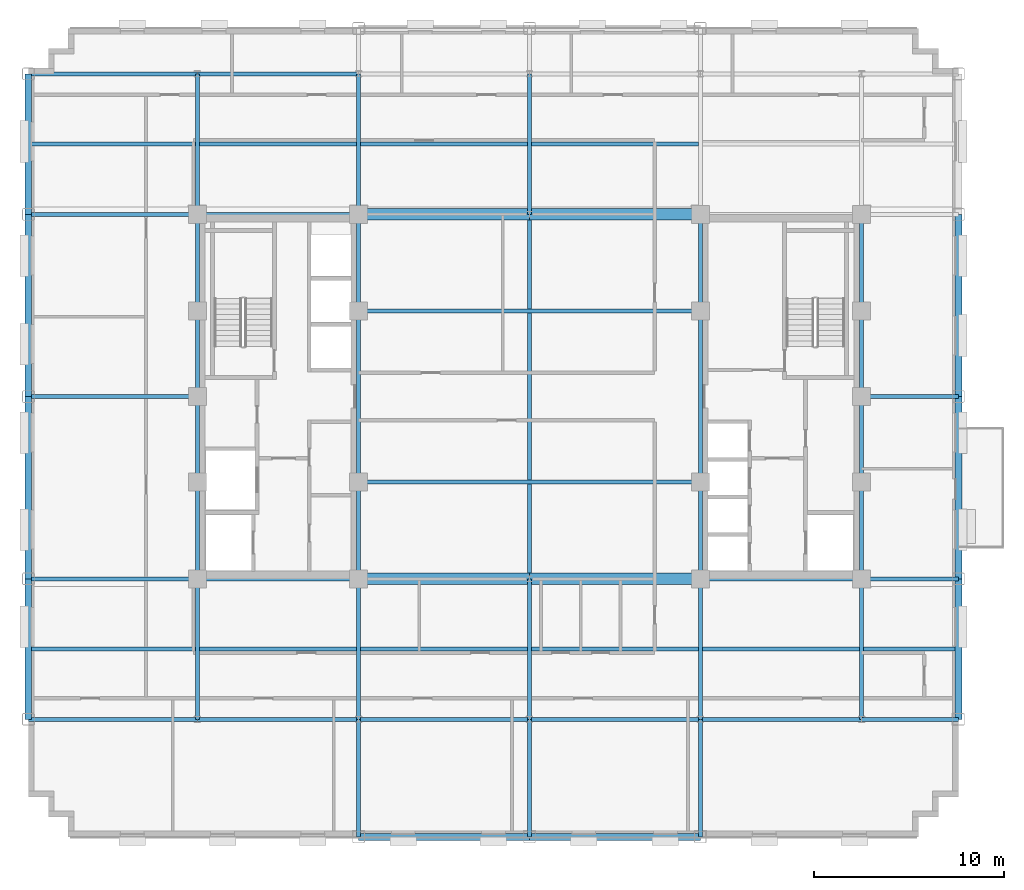
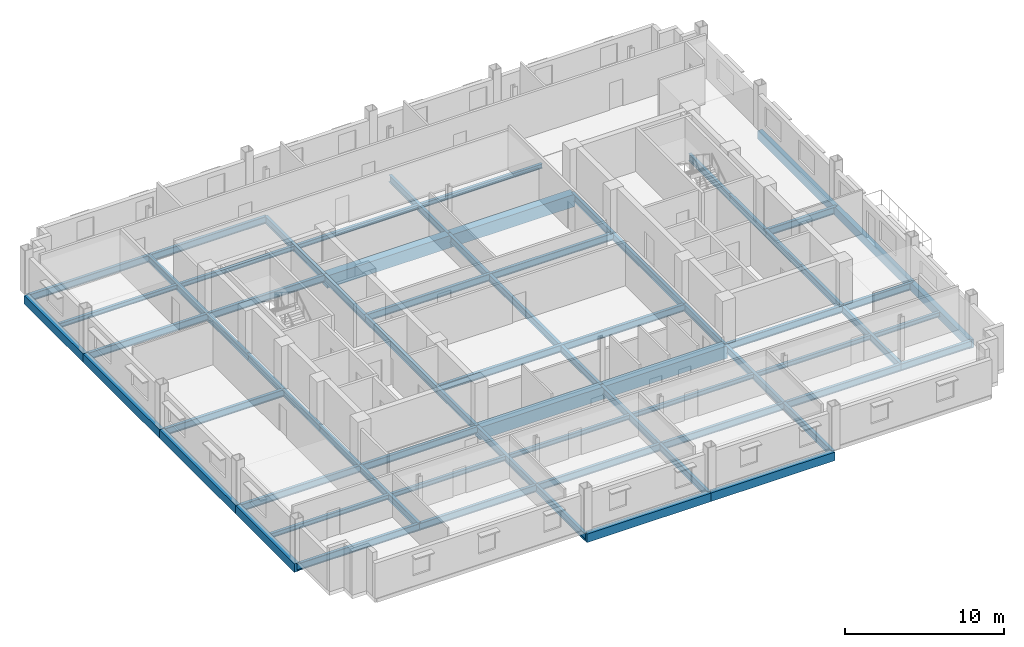
# One storey, part 5 of 14: 67 beams.
"""IFC4 building model written with IfcOpenShell, lengths in metres."""

from ifc_helpers import new_model, si_unit, direction, frame, origin, origin_2d, place, context, subcontext, project, spatial, rectangle, i_section, extrude, material, material_profile, profile_set, type_object, element, save


model = new_model("IFC4")

# Units and contexts
model_context = context("Model", 3, precision=1e-05, world=origin(), true_north=direction((0.0, 1.0)))
body_context = subcontext(model_context, "Body", "Model", "MODEL_VIEW")
ifc_project = project(units=[si_unit("LENGTHUNIT", "METRE"), si_unit("AREAUNIT", "SQUARE_METRE"), si_unit("VOLUMEUNIT", "CUBIC_METRE"), si_unit("PLANEANGLEUNIT", "RADIAN"), si_unit("MASSUNIT", "GRAM", prefix="KILO")], contexts=[model_context])

# Site, building, storey
site_placement = place(None, origin())
site = spatial("IfcSite", under=ifc_project, at=site_placement, CompositionType="ELEMENT")
building_placement = place(site_placement, origin())
building = spatial("IfcBuilding", under=site, at=building_placement, Name="Nuvemarco Arch Tower", CompositionType="ELEMENT")
storey_placement = place(building_placement, frame((0.0, 0.0, 178.60009765625)))
storey = spatial("IfcBuildingStorey", under=building, at=storey_placement, Name="L47", CompositionType="ELEMENT", Elevation=178.60009765625)

# Beams
ifc_material_1 = material(Name="Concrete C60/75", Category="concrete")
ifc_material_profile_1 = material_profile(ifc_material_1, rectangle(XDim=0.60009765625, YDim=0.949951171875, at=origin_2d()), Name="RC-BM-600x950")
ifc_profile_set_1 = profile_set([ifc_material_profile_1], Name="Concrete C60/75")
beam_type_1 = type_object("IfcBeamType", Name="BM-COUP-RC", PredefinedType="LINTEL", material=ifc_profile_set_1)
for number, where, z_axis, x_axis, name in (
    (1, (-9.0, -9.60009765625, -0.755126953125), (1.0, 0.0, 0.0), (0.0, 1.0, 0.0), "L47 structural beam BGEW_L47_0_-9.6_-9.0"),
    (2, (0.0, -9.60009765625, -0.755126953125), (1.0, 0.0, 0.0), (0.0, 1.0, 0.0), "L47 structural beam BGEW_L47_0_-9.6_+0.0"),
    (3, (-9.0, 9.60009765625, -0.755126953125), (1.0, 0.0, 0.0), (0.0, 1.0, 0.0), "L47 structural beam BGEW_L47_0_+9.6_-9.0"),
    (4, (0.0, 9.60009765625, -0.755126953125), (1.0, 0.0, 0.0), (0.0, 1.0, 0.0), "L47 structural beam BGEW_L47_0_+9.6_+0.0"),
):
    element("IfcBeam", number, at=place(storey_placement, frame(where, z_axis=z_axis, x_axis=x_axis)), inside=storey, type_object=beam_type_1, Name=name, PredefinedType="LINTEL", context=body_context, shape_type="SweptSolid", body=[
        extrude(rectangle(XDim=0.60009765625, YDim=0.949951171875, at=origin_2d()), origin(), (0.0, 0.0, 1.0), 9.0),
    ])
ifc_material_2 = material(Name="Steel S355", Category="steel")
ifc_material_profile_2 = material_profile(ifc_material_2, i_section(OverallWidth=0.2109375, OverallDepth=0.5390625, WebThickness=0.01171875, FlangeThickness=0.018798828125, FilletRadius=0.01611328125, at=origin_2d()), Name="W530x109")
ifc_profile_set_2 = profile_set([ifc_material_profile_2], Name="Steel S355")
beam_type_2 = type_object("IfcBeamType", Name="BM-GIRD-530", PredefinedType="BEAM", material=ifc_profile_set_2)
beam_1_placement = place(storey_placement, frame((-17.5, -17.0, -0.549560546875), z_axis=(0.0, 1.0, 0.0), x_axis=(-1.0, 0.0, 0.0)))
element("IfcBeam", 5, at=beam_1_placement, inside=storey, type_object=beam_type_2, Name="L47 structural beam BGNS_L47_0_-17.5_-17.0", PredefinedType="BEAM", context=body_context, shape_type="SweptSolid", body=[
    extrude(i_section(OverallWidth=0.2109375, OverallDepth=0.5390625, WebThickness=0.01171875, FlangeThickness=0.018798828125, FilletRadius=0.01611328125, at=origin_2d()), origin(), (0.0, 0.0, 1.0), 7.39990234375),
])
beam_2_placement = place(storey_placement, frame((-17.5, -9.60009765625, -0.549560546875), z_axis=(0.0, 1.0, 0.0), x_axis=(-1.0, 0.0, 0.0)))
element("IfcBeam", 6, at=beam_2_placement, inside=storey, type_object=beam_type_2, Name="L47 structural beam BGNS_L47_0_-17.5_-9.6", PredefinedType="BEAM", context=body_context, shape_type="SweptSolid", body=[
    extrude(i_section(OverallWidth=0.2109375, OverallDepth=0.5390625, WebThickness=0.01171875, FlangeThickness=0.018798828125, FilletRadius=0.01611328125, at=origin_2d()), origin(), (0.0, 0.0, 1.0), 5.10009765625),
])
for number, where, z_axis, x_axis, name in (
    (7, (-17.5, -4.5, -0.549560546875), (0.0, 1.0, 0.0), (-1.0, 0.0, 0.0), "L47 structural beam BGNS_L47_0_-17.5_-4.5"),
    (8, (-17.5, 0.0, -0.549560546875), (0.0, 1.0, 0.0), (-1.0, 0.0, 0.0), "L47 structural beam BGNS_L47_0_-17.5_+0.0"),
):
    element("IfcBeam", number, at=place(storey_placement, frame(where, z_axis=z_axis, x_axis=x_axis)), inside=storey, type_object=beam_type_2, Name=name, PredefinedType="BEAM", context=body_context, shape_type="SweptSolid", body=[
        extrude(i_section(OverallWidth=0.2109375, OverallDepth=0.5390625, WebThickness=0.01171875, FlangeThickness=0.018798828125, FilletRadius=0.01611328125, at=origin_2d()), origin(), (0.0, 0.0, 1.0), 4.5),
    ])
beam_3_placement = place(storey_placement, frame((-17.5, 4.5, -0.549560546875), z_axis=(0.0, 1.0, 0.0), x_axis=(-1.0, 0.0, 0.0)))
element("IfcBeam", 9, at=beam_3_placement, inside=storey, type_object=beam_type_2, Name="L47 structural beam BGNS_L47_0_-17.5_+4.5", PredefinedType="BEAM", context=body_context, shape_type="SweptSolid", body=[
    extrude(i_section(OverallWidth=0.2109375, OverallDepth=0.5390625, WebThickness=0.01171875, FlangeThickness=0.018798828125, FilletRadius=0.01611328125, at=origin_2d()), origin(), (0.0, 0.0, 1.0), 5.10009765625),
])
beam_4_placement = place(storey_placement, frame((-17.5, 9.60009765625, -0.549560546875), z_axis=(0.0, 1.0, 0.0), x_axis=(-1.0, 0.0, 0.0)))
element("IfcBeam", 10, at=beam_4_placement, inside=storey, type_object=beam_type_2, Name="L47 structural beam BGNS_L47_0_-17.5_+9.6", PredefinedType="BEAM", context=body_context, shape_type="SweptSolid", body=[
    extrude(i_section(OverallWidth=0.2109375, OverallDepth=0.5390625, WebThickness=0.01171875, FlangeThickness=0.018798828125, FilletRadius=0.01611328125, at=origin_2d()), origin(), (0.0, 0.0, 1.0), 7.39990234375),
])
beam_5_placement = place(storey_placement, frame((-9.0, -23.199951171875, -0.549560546875), z_axis=(0.0, 1.0, 0.0), x_axis=(-1.0, 0.0, 0.0)))
element("IfcBeam", 11, at=beam_5_placement, inside=storey, type_object=beam_type_2, Name="L47 structural beam BGNS_L47_0_-9.0_-23.2", PredefinedType="BEAM", context=body_context, shape_type="SweptSolid", body=[
    extrude(i_section(OverallWidth=0.2109375, OverallDepth=0.5390625, WebThickness=0.01171875, FlangeThickness=0.018798828125, FilletRadius=0.01611328125, at=origin_2d()), origin(), (0.0, 0.0, 1.0), 6.199951171875),
])
beam_6_placement = place(storey_placement, frame((-9.0, -17.0, -0.549560546875), z_axis=(0.0, 1.0, 0.0), x_axis=(-1.0, 0.0, 0.0)))
element("IfcBeam", 12, at=beam_6_placement, inside=storey, type_object=beam_type_2, Name="L47 structural beam BGNS_L47_0_-9.0_-17.0", PredefinedType="BEAM", context=body_context, shape_type="SweptSolid", body=[
    extrude(i_section(OverallWidth=0.2109375, OverallDepth=0.5390625, WebThickness=0.01171875, FlangeThickness=0.018798828125, FilletRadius=0.01611328125, at=origin_2d()), origin(), (0.0, 0.0, 1.0), 7.39990234375),
])
beam_7_placement = place(storey_placement, frame((-9.0, -9.60009765625, -0.549560546875), z_axis=(0.0, 1.0, 0.0), x_axis=(-1.0, 0.0, 0.0)))
element("IfcBeam", 13, at=beam_7_placement, inside=storey, type_object=beam_type_2, Name="L47 structural beam BGNS_L47_0_-9.0_-9.6", PredefinedType="BEAM", context=body_context, shape_type="SweptSolid", body=[
    extrude(i_section(OverallWidth=0.2109375, OverallDepth=0.5390625, WebThickness=0.01171875, FlangeThickness=0.018798828125, FilletRadius=0.01611328125, at=origin_2d()), origin(), (0.0, 0.0, 1.0), 5.10009765625),
])
beam_8_placement = place(storey_placement, frame((-9.0, -4.5, -0.549560546875), z_axis=(0.0, 1.0, 0.0), x_axis=(-1.0, 0.0, 0.0)))
element("IfcBeam", 14, at=beam_8_placement, inside=storey, type_object=beam_type_2, Name="L47 structural beam BGNS_L47_0_-9.0_-4.5", PredefinedType="BEAM", context=body_context, shape_type="SweptSolid", body=[
    extrude(i_section(OverallWidth=0.2109375, OverallDepth=0.5390625, WebThickness=0.01171875, FlangeThickness=0.018798828125, FilletRadius=0.01611328125, at=origin_2d()), origin(), (0.0, 0.0, 1.0), 9.0),
])
beam_9_placement = place(storey_placement, frame((-9.0, 4.5, -0.549560546875), z_axis=(0.0, 1.0, 0.0), x_axis=(-1.0, 0.0, 0.0)))
element("IfcBeam", 15, at=beam_9_placement, inside=storey, type_object=beam_type_2, Name="L47 structural beam BGNS_L47_0_-9.0_+4.5", PredefinedType="BEAM", context=body_context, shape_type="SweptSolid", body=[
    extrude(i_section(OverallWidth=0.2109375, OverallDepth=0.5390625, WebThickness=0.01171875, FlangeThickness=0.018798828125, FilletRadius=0.01611328125, at=origin_2d()), origin(), (0.0, 0.0, 1.0), 5.10009765625),
])
beam_10_placement = place(storey_placement, frame((-9.0, 9.60009765625, -0.549560546875), z_axis=(0.0, 1.0, 0.0), x_axis=(-1.0, 0.0, 0.0)))
element("IfcBeam", 16, at=beam_10_placement, inside=storey, type_object=beam_type_2, Name="L47 structural beam BGNS_L47_0_-9.0_+9.6", PredefinedType="BEAM", context=body_context, shape_type="SweptSolid", body=[
    extrude(i_section(OverallWidth=0.2109375, OverallDepth=0.5390625, WebThickness=0.01171875, FlangeThickness=0.018798828125, FilletRadius=0.01611328125, at=origin_2d()), origin(), (0.0, 0.0, 1.0), 7.39990234375),
])
beam_11_placement = place(storey_placement, frame((0.0, -23.199951171875, -0.549560546875), z_axis=(0.0, 1.0, 0.0), x_axis=(-1.0, 0.0, 0.0)))
element("IfcBeam", 17, at=beam_11_placement, inside=storey, type_object=beam_type_2, Name="L47 structural beam BGNS_L47_0_+0.0_-23.2", PredefinedType="BEAM", context=body_context, shape_type="SweptSolid", body=[
    extrude(i_section(OverallWidth=0.2109375, OverallDepth=0.5390625, WebThickness=0.01171875, FlangeThickness=0.018798828125, FilletRadius=0.01611328125, at=origin_2d()), origin(), (0.0, 0.0, 1.0), 6.199951171875),
])
beam_12_placement = place(storey_placement, frame((0.0, -17.0, -0.549560546875), z_axis=(0.0, 1.0, 0.0), x_axis=(-1.0, 0.0, 0.0)))
element("IfcBeam", 18, at=beam_12_placement, inside=storey, type_object=beam_type_2, Name="L47 structural beam BGNS_L47_0_+0.0_-17.0", PredefinedType="BEAM", context=body_context, shape_type="SweptSolid", body=[
    extrude(i_section(OverallWidth=0.2109375, OverallDepth=0.5390625, WebThickness=0.01171875, FlangeThickness=0.018798828125, FilletRadius=0.01611328125, at=origin_2d()), origin(), (0.0, 0.0, 1.0), 7.39990234375),
])
beam_13_placement = place(storey_placement, frame((0.0, -9.60009765625, -0.549560546875), z_axis=(0.0, 1.0, 0.0), x_axis=(-1.0, 0.0, 0.0)))
element("IfcBeam", 19, at=beam_13_placement, inside=storey, type_object=beam_type_2, Name="L47 structural beam BGNS_L47_0_+0.0_-9.6", PredefinedType="BEAM", context=body_context, shape_type="SweptSolid", body=[
    extrude(i_section(OverallWidth=0.2109375, OverallDepth=0.5390625, WebThickness=0.01171875, FlangeThickness=0.018798828125, FilletRadius=0.01611328125, at=origin_2d()), origin(), (0.0, 0.0, 1.0), 19.2001953125),
])
beam_14_placement = place(storey_placement, frame((0.0, 9.60009765625, -0.549560546875), z_axis=(0.0, 1.0, 0.0), x_axis=(-1.0, 0.0, 0.0)))
element("IfcBeam", 20, at=beam_14_placement, inside=storey, type_object=beam_type_2, Name="L47 structural beam BGNS_L47_0_+0.0_+9.6", PredefinedType="BEAM", context=body_context, shape_type="SweptSolid", body=[
    extrude(i_section(OverallWidth=0.2109375, OverallDepth=0.5390625, WebThickness=0.01171875, FlangeThickness=0.018798828125, FilletRadius=0.01611328125, at=origin_2d()), origin(), (0.0, 0.0, 1.0), 7.39990234375),
])
beam_15_placement = place(storey_placement, frame((9.0, -23.199951171875, -0.549560546875), z_axis=(0.0, 1.0, 0.0), x_axis=(-1.0, 0.0, 0.0)))
element("IfcBeam", 21, at=beam_15_placement, inside=storey, type_object=beam_type_2, Name="L47 structural beam BGNS_L47_0_+9.0_-23.2", PredefinedType="BEAM", context=body_context, shape_type="SweptSolid", body=[
    extrude(i_section(OverallWidth=0.2109375, OverallDepth=0.5390625, WebThickness=0.01171875, FlangeThickness=0.018798828125, FilletRadius=0.01611328125, at=origin_2d()), origin(), (0.0, 0.0, 1.0), 6.199951171875),
])
beam_16_placement = place(storey_placement, frame((9.0, -17.0, -0.549560546875), z_axis=(0.0, 1.0, 0.0), x_axis=(-1.0, 0.0, 0.0)))
element("IfcBeam", 22, at=beam_16_placement, inside=storey, type_object=beam_type_2, Name="L47 structural beam BGNS_L47_0_+9.0_-17.0", PredefinedType="BEAM", context=body_context, shape_type="SweptSolid", body=[
    extrude(i_section(OverallWidth=0.2109375, OverallDepth=0.5390625, WebThickness=0.01171875, FlangeThickness=0.018798828125, FilletRadius=0.01611328125, at=origin_2d()), origin(), (0.0, 0.0, 1.0), 7.39990234375),
])
beam_17_placement = place(storey_placement, frame((9.0, -9.60009765625, -0.549560546875), z_axis=(0.0, 1.0, 0.0), x_axis=(-1.0, 0.0, 0.0)))
element("IfcBeam", 23, at=beam_17_placement, inside=storey, type_object=beam_type_2, Name="L47 structural beam BGNS_L47_0_+9.0_-9.6", PredefinedType="BEAM", context=body_context, shape_type="SweptSolid", body=[
    extrude(i_section(OverallWidth=0.2109375, OverallDepth=0.5390625, WebThickness=0.01171875, FlangeThickness=0.018798828125, FilletRadius=0.01611328125, at=origin_2d()), origin(), (0.0, 0.0, 1.0), 5.10009765625),
])
beam_18_placement = place(storey_placement, frame((9.0, -4.5, -0.549560546875), z_axis=(0.0, 1.0, 0.0), x_axis=(-1.0, 0.0, 0.0)))
element("IfcBeam", 24, at=beam_18_placement, inside=storey, type_object=beam_type_2, Name="L47 structural beam BGNS_L47_0_+9.0_-4.5", PredefinedType="BEAM", context=body_context, shape_type="SweptSolid", body=[
    extrude(i_section(OverallWidth=0.2109375, OverallDepth=0.5390625, WebThickness=0.01171875, FlangeThickness=0.018798828125, FilletRadius=0.01611328125, at=origin_2d()), origin(), (0.0, 0.0, 1.0), 9.0),
])
beam_19_placement = place(storey_placement, frame((9.0, 4.5, -0.549560546875), z_axis=(0.0, 1.0, 0.0), x_axis=(-1.0, 0.0, 0.0)))
element("IfcBeam", 25, at=beam_19_placement, inside=storey, type_object=beam_type_2, Name="L47 structural beam BGNS_L47_0_+9.0_+4.5", PredefinedType="BEAM", context=body_context, shape_type="SweptSolid", body=[
    extrude(i_section(OverallWidth=0.2109375, OverallDepth=0.5390625, WebThickness=0.01171875, FlangeThickness=0.018798828125, FilletRadius=0.01611328125, at=origin_2d()), origin(), (0.0, 0.0, 1.0), 5.10009765625),
])
beam_20_placement = place(storey_placement, frame((17.5, -17.0, -0.549560546875), z_axis=(0.0, 1.0, 0.0), x_axis=(-1.0, 0.0, 0.0)))
element("IfcBeam", 26, at=beam_20_placement, inside=storey, type_object=beam_type_2, Name="L47 structural beam BGNS_L47_0_+17.5_-17.0", PredefinedType="BEAM", context=body_context, shape_type="SweptSolid", body=[
    extrude(i_section(OverallWidth=0.2109375, OverallDepth=0.5390625, WebThickness=0.01171875, FlangeThickness=0.018798828125, FilletRadius=0.01611328125, at=origin_2d()), origin(), (0.0, 0.0, 1.0), 7.39990234375),
])
beam_21_placement = place(storey_placement, frame((17.5, -9.60009765625, -0.549560546875), z_axis=(0.0, 1.0, 0.0), x_axis=(-1.0, 0.0, 0.0)))
element("IfcBeam", 27, at=beam_21_placement, inside=storey, type_object=beam_type_2, Name="L47 structural beam BGNS_L47_0_+17.5_-9.6", PredefinedType="BEAM", context=body_context, shape_type="SweptSolid", body=[
    extrude(i_section(OverallWidth=0.2109375, OverallDepth=0.5390625, WebThickness=0.01171875, FlangeThickness=0.018798828125, FilletRadius=0.01611328125, at=origin_2d()), origin(), (0.0, 0.0, 1.0), 5.10009765625),
])
for number, where, z_axis, x_axis, name in (
    (28, (17.5, -4.5, -0.549560546875), (0.0, 1.0, 0.0), (-1.0, 0.0, 0.0), "L47 structural beam BGNS_L47_0_+17.5_-4.5"),
    (29, (17.5, 0.0, -0.549560546875), (0.0, 1.0, 0.0), (-1.0, 0.0, 0.0), "L47 structural beam BGNS_L47_0_+17.5_+0.0"),
):
    element("IfcBeam", number, at=place(storey_placement, frame(where, z_axis=z_axis, x_axis=x_axis)), inside=storey, type_object=beam_type_2, Name=name, PredefinedType="BEAM", context=body_context, shape_type="SweptSolid", body=[
        extrude(i_section(OverallWidth=0.2109375, OverallDepth=0.5390625, WebThickness=0.01171875, FlangeThickness=0.018798828125, FilletRadius=0.01611328125, at=origin_2d()), origin(), (0.0, 0.0, 1.0), 4.5),
    ])
beam_22_placement = place(storey_placement, frame((17.5, 4.5, -0.549560546875), z_axis=(0.0, 1.0, 0.0), x_axis=(-1.0, 0.0, 0.0)))
element("IfcBeam", 30, at=beam_22_placement, inside=storey, type_object=beam_type_2, Name="L47 structural beam BGNS_L47_0_+17.5_+4.5", PredefinedType="BEAM", context=body_context, shape_type="SweptSolid", body=[
    extrude(i_section(OverallWidth=0.2109375, OverallDepth=0.5390625, WebThickness=0.01171875, FlangeThickness=0.018798828125, FilletRadius=0.01611328125, at=origin_2d()), origin(), (0.0, 0.0, 1.0), 5.10009765625),
])
beam_23_placement = place(storey_placement, frame((-26.39990234375, -17.0, -0.549560546875), z_axis=(1.0, 0.0, 0.0), x_axis=(0.0, 1.0, 0.0)))
element("IfcBeam", 31, at=beam_23_placement, inside=storey, type_object=beam_type_2, Name="L47 structural beam BGEW_L47_0_-17.0_-26.4", PredefinedType="BEAM", context=body_context, shape_type="SweptSolid", body=[
    extrude(i_section(OverallWidth=0.2109375, OverallDepth=0.5390625, WebThickness=0.01171875, FlangeThickness=0.018798828125, FilletRadius=0.01611328125, at=origin_2d()), origin(), (0.0, 0.0, 1.0), 8.89990234375),
])
beam_24_placement = place(storey_placement, frame((-17.5, -17.0, -0.549560546875), z_axis=(1.0, 0.0, 0.0), x_axis=(0.0, 1.0, 0.0)))
element("IfcBeam", 32, at=beam_24_placement, inside=storey, type_object=beam_type_2, Name="L47 structural beam BGEW_L47_0_-17.0_-17.5", PredefinedType="BEAM", context=body_context, shape_type="SweptSolid", body=[
    extrude(i_section(OverallWidth=0.2109375, OverallDepth=0.5390625, WebThickness=0.01171875, FlangeThickness=0.018798828125, FilletRadius=0.01611328125, at=origin_2d()), origin(), (0.0, 0.0, 1.0), 8.5),
])
for number, where, z_axis, x_axis, name in (
    (33, (-9.0, -17.0, -0.549560546875), (1.0, 0.0, 0.0), (0.0, 1.0, 0.0), "L47 structural beam BGEW_L47_0_-17.0_-9.0"),
    (34, (0.0, -17.0, -0.549560546875), (1.0, 0.0, 0.0), (0.0, 1.0, 0.0), "L47 structural beam BGEW_L47_0_-17.0_+0.0"),
):
    element("IfcBeam", number, at=place(storey_placement, frame(where, z_axis=z_axis, x_axis=x_axis)), inside=storey, type_object=beam_type_2, Name=name, PredefinedType="BEAM", context=body_context, shape_type="SweptSolid", body=[
        extrude(i_section(OverallWidth=0.2109375, OverallDepth=0.5390625, WebThickness=0.01171875, FlangeThickness=0.018798828125, FilletRadius=0.01611328125, at=origin_2d()), origin(), (0.0, 0.0, 1.0), 9.0),
    ])
beam_25_placement = place(storey_placement, frame((9.0, -17.0, -0.549560546875), z_axis=(1.0, 0.0, 0.0), x_axis=(0.0, 1.0, 0.0)))
element("IfcBeam", 35, at=beam_25_placement, inside=storey, type_object=beam_type_2, Name="L47 structural beam BGEW_L47_0_-17.0_+9.0", PredefinedType="BEAM", context=body_context, shape_type="SweptSolid", body=[
    extrude(i_section(OverallWidth=0.2109375, OverallDepth=0.5390625, WebThickness=0.01171875, FlangeThickness=0.018798828125, FilletRadius=0.01611328125, at=origin_2d()), origin(), (0.0, 0.0, 1.0), 8.5),
])
beam_26_placement = place(storey_placement, frame((17.5, -17.0, -0.549560546875), z_axis=(1.0, 0.0, 0.0), x_axis=(0.0, 1.0, 0.0)))
element("IfcBeam", 36, at=beam_26_placement, inside=storey, type_object=beam_type_2, Name="L47 structural beam BGEW_L47_0_-17.0_+17.5", PredefinedType="BEAM", context=body_context, shape_type="SweptSolid", body=[
    extrude(i_section(OverallWidth=0.2109375, OverallDepth=0.5390625, WebThickness=0.01171875, FlangeThickness=0.018798828125, FilletRadius=0.01611328125, at=origin_2d()), origin(), (0.0, 0.0, 1.0), 5.10009765625),
])
beam_27_placement = place(storey_placement, frame((-26.39990234375, -9.60009765625, -0.549560546875), z_axis=(1.0, 0.0, 0.0), x_axis=(0.0, 1.0, 0.0)))
element("IfcBeam", 37, at=beam_27_placement, inside=storey, type_object=beam_type_2, Name="L47 structural beam BGEW_L47_0_-9.6_-26.4", PredefinedType="BEAM", context=body_context, shape_type="SweptSolid", body=[
    extrude(i_section(OverallWidth=0.2109375, OverallDepth=0.5390625, WebThickness=0.01171875, FlangeThickness=0.018798828125, FilletRadius=0.01611328125, at=origin_2d()), origin(), (0.0, 0.0, 1.0), 8.89990234375),
])
for number, where, z_axis, x_axis, name in (
    (38, (-17.5, -9.60009765625, -0.549560546875), (1.0, 0.0, 0.0), (0.0, 1.0, 0.0), "L47 structural beam BGEW_L47_0_-9.6_-17.5"),
    (39, (9.0, -9.60009765625, -0.549560546875), (1.0, 0.0, 0.0), (0.0, 1.0, 0.0), "L47 structural beam BGEW_L47_0_-9.6_+9.0"),
):
    element("IfcBeam", number, at=place(storey_placement, frame(where, z_axis=z_axis, x_axis=x_axis)), inside=storey, type_object=beam_type_2, Name=name, PredefinedType="BEAM", context=body_context, shape_type="SweptSolid", body=[
        extrude(i_section(OverallWidth=0.2109375, OverallDepth=0.5390625, WebThickness=0.01171875, FlangeThickness=0.018798828125, FilletRadius=0.01611328125, at=origin_2d()), origin(), (0.0, 0.0, 1.0), 8.5),
    ])
beam_28_placement = place(storey_placement, frame((17.5, -9.60009765625, -0.549560546875), z_axis=(1.0, 0.0, 0.0), x_axis=(0.0, 1.0, 0.0)))
element("IfcBeam", 40, at=beam_28_placement, inside=storey, type_object=beam_type_2, Name="L47 structural beam BGEW_L47_0_-9.6_+17.5", PredefinedType="BEAM", context=body_context, shape_type="SweptSolid", body=[
    extrude(i_section(OverallWidth=0.2109375, OverallDepth=0.5390625, WebThickness=0.01171875, FlangeThickness=0.018798828125, FilletRadius=0.01611328125, at=origin_2d()), origin(), (0.0, 0.0, 1.0), 5.10009765625),
])
beam_29_placement = place(storey_placement, frame((-9.0, -4.5, -0.549560546875), z_axis=(1.0, 0.0, 0.0), x_axis=(0.0, 1.0, 0.0)))
element("IfcBeam", 41, at=beam_29_placement, inside=storey, type_object=beam_type_2, Name="L47 structural beam BGEW_L47_0_-4.5_-9.0", PredefinedType="BEAM", context=body_context, shape_type="SweptSolid", body=[
    extrude(i_section(OverallWidth=0.2109375, OverallDepth=0.5390625, WebThickness=0.01171875, FlangeThickness=0.018798828125, FilletRadius=0.01611328125, at=origin_2d()), origin(), (0.0, 0.0, 1.0), 18.0),
])
beam_30_placement = place(storey_placement, frame((-26.39990234375, 0.0, -0.549560546875), z_axis=(1.0, 0.0, 0.0), x_axis=(0.0, 1.0, 0.0)))
element("IfcBeam", 42, at=beam_30_placement, inside=storey, type_object=beam_type_2, Name="L47 structural beam BGEW_L47_0_+0.0_-26.4", PredefinedType="BEAM", context=body_context, shape_type="SweptSolid", body=[
    extrude(i_section(OverallWidth=0.2109375, OverallDepth=0.5390625, WebThickness=0.01171875, FlangeThickness=0.018798828125, FilletRadius=0.01611328125, at=origin_2d()), origin(), (0.0, 0.0, 1.0), 8.89990234375),
])
beam_31_placement = place(storey_placement, frame((17.5, 0.0, -0.549560546875), z_axis=(1.0, 0.0, 0.0), x_axis=(0.0, 1.0, 0.0)))
element("IfcBeam", 43, at=beam_31_placement, inside=storey, type_object=beam_type_2, Name="L47 structural beam BGEW_L47_0_+0.0_+17.5", PredefinedType="BEAM", context=body_context, shape_type="SweptSolid", body=[
    extrude(i_section(OverallWidth=0.2109375, OverallDepth=0.5390625, WebThickness=0.01171875, FlangeThickness=0.018798828125, FilletRadius=0.01611328125, at=origin_2d()), origin(), (0.0, 0.0, 1.0), 5.10009765625),
])
beam_32_placement = place(storey_placement, frame((-9.0, 4.5, -0.549560546875), z_axis=(1.0, 0.0, 0.0), x_axis=(0.0, 1.0, 0.0)))
element("IfcBeam", 44, at=beam_32_placement, inside=storey, type_object=beam_type_2, Name="L47 structural beam BGEW_L47_0_+4.5_-9.0", PredefinedType="BEAM", context=body_context, shape_type="SweptSolid", body=[
    extrude(i_section(OverallWidth=0.2109375, OverallDepth=0.5390625, WebThickness=0.01171875, FlangeThickness=0.018798828125, FilletRadius=0.01611328125, at=origin_2d()), origin(), (0.0, 0.0, 1.0), 18.0),
])
beam_33_placement = place(storey_placement, frame((-26.39990234375, 9.60009765625, -0.549560546875), z_axis=(1.0, 0.0, 0.0), x_axis=(0.0, 1.0, 0.0)))
element("IfcBeam", 45, at=beam_33_placement, inside=storey, type_object=beam_type_2, Name="L47 structural beam BGEW_L47_0_+9.6_-26.4", PredefinedType="BEAM", context=body_context, shape_type="SweptSolid", body=[
    extrude(i_section(OverallWidth=0.2109375, OverallDepth=0.5390625, WebThickness=0.01171875, FlangeThickness=0.018798828125, FilletRadius=0.01611328125, at=origin_2d()), origin(), (0.0, 0.0, 1.0), 8.89990234375),
])
beam_34_placement = place(storey_placement, frame((-17.5, 9.60009765625, -0.549560546875), z_axis=(1.0, 0.0, 0.0), x_axis=(0.0, 1.0, 0.0)))
element("IfcBeam", 46, at=beam_34_placement, inside=storey, type_object=beam_type_2, Name="L47 structural beam BGEW_L47_0_+9.6_-17.5", PredefinedType="BEAM", context=body_context, shape_type="SweptSolid", body=[
    extrude(i_section(OverallWidth=0.2109375, OverallDepth=0.5390625, WebThickness=0.01171875, FlangeThickness=0.018798828125, FilletRadius=0.01611328125, at=origin_2d()), origin(), (0.0, 0.0, 1.0), 8.5),
])
beam_35_placement = place(storey_placement, frame((-26.39990234375, 17.0, -0.549560546875), z_axis=(1.0, 0.0, 0.0), x_axis=(0.0, 1.0, 0.0)))
element("IfcBeam", 47, at=beam_35_placement, inside=storey, type_object=beam_type_2, Name="L47 structural beam BGEW_L47_0_+17.0_-26.4", PredefinedType="BEAM", context=body_context, shape_type="SweptSolid", body=[
    extrude(i_section(OverallWidth=0.2109375, OverallDepth=0.5390625, WebThickness=0.01171875, FlangeThickness=0.018798828125, FilletRadius=0.01611328125, at=origin_2d()), origin(), (0.0, 0.0, 1.0), 8.89990234375),
])
beam_36_placement = place(storey_placement, frame((-17.5, 17.0, -0.549560546875), z_axis=(1.0, 0.0, 0.0), x_axis=(0.0, 1.0, 0.0)))
element("IfcBeam", 48, at=beam_36_placement, inside=storey, type_object=beam_type_2, Name="L47 structural beam BGEW_L47_0_+17.0_-17.5", PredefinedType="BEAM", context=body_context, shape_type="SweptSolid", body=[
    extrude(i_section(OverallWidth=0.2109375, OverallDepth=0.5390625, WebThickness=0.01171875, FlangeThickness=0.018798828125, FilletRadius=0.01611328125, at=origin_2d()), origin(), (0.0, 0.0, 1.0), 8.5),
])
ifc_material_profile_3 = material_profile(ifc_material_2, i_section(OverallWidth=0.202880859375, OverallDepth=0.346923828125, WebThickness=0.0078125, FlangeThickness=0.013427734375, FilletRadius=0.014892578125, at=origin_2d()), Name="W360x64")
ifc_profile_set_3 = profile_set([ifc_material_profile_3], Name="Steel S355")
beam_type_3 = type_object("IfcBeamType", Name="BM-JOIST-360", PredefinedType="JOIST", material=ifc_profile_set_3)
beam_37_placement = place(storey_placement, frame((-26.22509765625, -13.300048828125, -0.45361328125), z_axis=(1.0, 0.0, 0.0), x_axis=(0.0, 1.0, 0.0)))
element("IfcBeam", 49, at=beam_37_placement, inside=storey, type_object=beam_type_3, Name="L47 structural beam BJ_L47_0_-13.3_-26.4", PredefinedType="JOIST", context=body_context, shape_type="SweptSolid", body=[
    extrude(i_section(OverallWidth=0.202880859375, OverallDepth=0.346923828125, WebThickness=0.0078125, FlangeThickness=0.013427734375, FilletRadius=0.014892578125, at=origin_2d()), origin(), (0.0, 0.0, 1.0), 8.61962890625),
])
beam_38_placement = place(storey_placement, frame((-17.39453125, -13.300048828125, -0.45361328125), z_axis=(1.0, 0.0, 0.0), x_axis=(0.0, 1.0, 0.0)))
element("IfcBeam", 50, at=beam_38_placement, inside=storey, type_object=beam_type_3, Name="L47 structural beam BJ_L47_0_-13.3_-17.5", PredefinedType="JOIST", context=body_context, shape_type="SweptSolid", body=[
    extrude(i_section(OverallWidth=0.202880859375, OverallDepth=0.346923828125, WebThickness=0.0078125, FlangeThickness=0.013427734375, FilletRadius=0.014892578125, at=origin_2d()), origin(), (0.0, 0.0, 1.0), 8.2890625),
])
for number, where, z_axis, x_axis, name in (
    (51, (-8.89453125, -13.300048828125, -0.45361328125), (1.0, 0.0, 0.0), (0.0, 1.0, 0.0), "L47 structural beam BJ_L47_0_-13.3_-9.0"),
    (52, (0.10546875, -13.300048828125, -0.45361328125), (1.0, 0.0, 0.0), (0.0, 1.0, 0.0), "L47 structural beam BJ_L47_0_-13.3_+0.0"),
):
    element("IfcBeam", number, at=place(storey_placement, frame(where, z_axis=z_axis, x_axis=x_axis)), inside=storey, type_object=beam_type_3, Name=name, PredefinedType="JOIST", context=body_context, shape_type="SweptSolid", body=[
        extrude(i_section(OverallWidth=0.202880859375, OverallDepth=0.346923828125, WebThickness=0.0078125, FlangeThickness=0.013427734375, FilletRadius=0.014892578125, at=origin_2d()), origin(), (0.0, 0.0, 1.0), 8.7890625),
    ])
beam_39_placement = place(storey_placement, frame((9.10546875, -13.300048828125, -0.45361328125), z_axis=(1.0, 0.0, 0.0), x_axis=(0.0, 1.0, 0.0)))
element("IfcBeam", 53, at=beam_39_placement, inside=storey, type_object=beam_type_3, Name="L47 structural beam BJ_L47_0_-13.3_+9.0", PredefinedType="JOIST", context=body_context, shape_type="SweptSolid", body=[
    extrude(i_section(OverallWidth=0.202880859375, OverallDepth=0.346923828125, WebThickness=0.0078125, FlangeThickness=0.013427734375, FilletRadius=0.014892578125, at=origin_2d()), origin(), (0.0, 0.0, 1.0), 8.2890625),
])
beam_40_placement = place(storey_placement, frame((17.60546875, -13.300048828125, -0.45361328125), z_axis=(1.0, 0.0, 0.0), x_axis=(0.0, 1.0, 0.0)))
element("IfcBeam", 54, at=beam_40_placement, inside=storey, type_object=beam_type_3, Name="L47 structural beam BJ_L47_0_-13.3_+17.5", PredefinedType="JOIST", context=body_context, shape_type="SweptSolid", body=[
    extrude(i_section(OverallWidth=0.202880859375, OverallDepth=0.346923828125, WebThickness=0.0078125, FlangeThickness=0.013427734375, FilletRadius=0.014892578125, at=origin_2d()), origin(), (0.0, 0.0, 1.0), 4.819580078125),
])
beam_41_placement = place(storey_placement, frame((-26.22509765625, 13.300048828125, -0.45361328125), z_axis=(1.0, 0.0, 0.0), x_axis=(0.0, 1.0, 0.0)))
element("IfcBeam", 55, at=beam_41_placement, inside=storey, type_object=beam_type_3, Name="L47 structural beam BJ_L47_0_+13.3_-26.4", PredefinedType="JOIST", context=body_context, shape_type="SweptSolid", body=[
    extrude(i_section(OverallWidth=0.202880859375, OverallDepth=0.346923828125, WebThickness=0.0078125, FlangeThickness=0.013427734375, FilletRadius=0.014892578125, at=origin_2d()), origin(), (0.0, 0.0, 1.0), 8.61962890625),
])
beam_42_placement = place(storey_placement, frame((-17.39453125, 13.300048828125, -0.45361328125), z_axis=(1.0, 0.0, 0.0), x_axis=(0.0, 1.0, 0.0)))
element("IfcBeam", 56, at=beam_42_placement, inside=storey, type_object=beam_type_3, Name="L47 structural beam BJ_L47_0_+13.3_-17.5", PredefinedType="JOIST", context=body_context, shape_type="SweptSolid", body=[
    extrude(i_section(OverallWidth=0.202880859375, OverallDepth=0.346923828125, WebThickness=0.0078125, FlangeThickness=0.013427734375, FilletRadius=0.014892578125, at=origin_2d()), origin(), (0.0, 0.0, 1.0), 8.2890625),
])
for number, where, z_axis, x_axis, name in (
    (57, (-8.89453125, 13.300048828125, -0.45361328125), (1.0, 0.0, 0.0), (0.0, 1.0, 0.0), "L47 structural beam BJ_L47_0_+13.3_-9.0"),
    (58, (0.10546875, 13.300048828125, -0.45361328125), (1.0, 0.0, 0.0), (0.0, 1.0, 0.0), "L47 structural beam BJ_L47_0_+13.3_+0.0"),
):
    element("IfcBeam", number, at=place(storey_placement, frame(where, z_axis=z_axis, x_axis=x_axis)), inside=storey, type_object=beam_type_3, Name=name, PredefinedType="JOIST", context=body_context, shape_type="SweptSolid", body=[
        extrude(i_section(OverallWidth=0.202880859375, OverallDepth=0.346923828125, WebThickness=0.0078125, FlangeThickness=0.013427734375, FilletRadius=0.014892578125, at=origin_2d()), origin(), (0.0, 0.0, 1.0), 8.7890625),
    ])
ifc_material_3 = material(Name="Precast concrete C45/55", Category="concrete")
ifc_material_profile_4 = material_profile(ifc_material_3, rectangle(XDim=0.35009765625, YDim=0.64990234375, at=origin_2d()), Name="PC-SP-350x650")
ifc_profile_set_4 = profile_set([ifc_material_profile_4], Name="Precast concrete C45/55")
beam_type_4 = type_object("IfcBeamType", Name="BM-SPAN-RC", PredefinedType="SPANDREL", material=ifc_profile_set_4)
beam_43_placement = place(storey_placement, frame((-26.39990234375, -17.0, -0.60498046875), z_axis=(0.0, 1.0, 0.0), x_axis=(-1.0, 0.0, 0.0)))
element("IfcBeam", 59, at=beam_43_placement, inside=storey, type_object=beam_type_4, Name="L47 structural beam BGNS_L47_0_-26.4_-17.0", PredefinedType="SPANDREL", context=body_context, shape_type="SweptSolid", body=[
    extrude(rectangle(XDim=0.35009765625, YDim=0.64990234375, at=origin_2d()), origin(), (0.0, 0.0, 1.0), 7.39990234375),
])
for number, where, z_axis, x_axis, name in (
    (60, (-26.39990234375, -9.60009765625, -0.60498046875), (0.0, 1.0, 0.0), (-1.0, 0.0, 0.0), "L47 structural beam BGNS_L47_0_-26.4_-9.6"),
    (61, (-26.39990234375, 0.0, -0.60498046875), (0.0, 1.0, 0.0), (-1.0, 0.0, 0.0), "L47 structural beam BGNS_L47_0_-26.4_+0.0"),
):
    element("IfcBeam", number, at=place(storey_placement, frame(where, z_axis=z_axis, x_axis=x_axis)), inside=storey, type_object=beam_type_4, Name=name, PredefinedType="SPANDREL", context=body_context, shape_type="SweptSolid", body=[
        extrude(rectangle(XDim=0.35009765625, YDim=0.64990234375, at=origin_2d()), origin(), (0.0, 0.0, 1.0), 9.60009765625),
    ])
for number, where, z_axis, x_axis, name in (
    (62, (-26.39990234375, 9.60009765625, -0.60498046875), (0.0, 1.0, 0.0), (-1.0, 0.0, 0.0), "L47 structural beam BGNS_L47_0_-26.4_+9.6"),
    (63, (22.60009765625, -17.0, -0.60498046875), (0.0, 1.0, 0.0), (-1.0, 0.0, 0.0), "L47 structural beam BGNS_L47_0_+22.6_-17.0"),
):
    element("IfcBeam", number, at=place(storey_placement, frame(where, z_axis=z_axis, x_axis=x_axis)), inside=storey, type_object=beam_type_4, Name=name, PredefinedType="SPANDREL", context=body_context, shape_type="SweptSolid", body=[
        extrude(rectangle(XDim=0.35009765625, YDim=0.64990234375, at=origin_2d()), origin(), (0.0, 0.0, 1.0), 7.39990234375),
    ])
for number, where, z_axis, x_axis, name in (
    (64, (22.60009765625, -9.60009765625, -0.60498046875), (0.0, 1.0, 0.0), (-1.0, 0.0, 0.0), "L47 structural beam BGNS_L47_0_+22.6_-9.6"),
    (65, (22.60009765625, 0.0, -0.60498046875), (0.0, 1.0, 0.0), (-1.0, 0.0, 0.0), "L47 structural beam BGNS_L47_0_+22.6_+0.0"),
):
    element("IfcBeam", number, at=place(storey_placement, frame(where, z_axis=z_axis, x_axis=x_axis)), inside=storey, type_object=beam_type_4, Name=name, PredefinedType="SPANDREL", context=body_context, shape_type="SweptSolid", body=[
        extrude(rectangle(XDim=0.35009765625, YDim=0.64990234375, at=origin_2d()), origin(), (0.0, 0.0, 1.0), 9.60009765625),
    ])
for number, where, z_axis, x_axis, name in (
    (66, (-9.0, -23.199951171875, -0.60498046875), (1.0, 0.0, 0.0), (0.0, 1.0, 0.0), "L47 structural beam BGEW_L47_0_-23.2_-9.0"),
    (67, (0.0, -23.199951171875, -0.60498046875), (1.0, 0.0, 0.0), (0.0, 1.0, 0.0), "L47 structural beam BGEW_L47_0_-23.2_+0.0"),
):
    element("IfcBeam", number, at=place(storey_placement, frame(where, z_axis=z_axis, x_axis=x_axis)), inside=storey, type_object=beam_type_4, Name=name, PredefinedType="SPANDREL", context=body_context, shape_type="SweptSolid", body=[
        extrude(rectangle(XDim=0.35009765625, YDim=0.64990234375, at=origin_2d()), origin(), (0.0, 0.0, 1.0), 9.0),
    ])

save(model, "model.ifc")
